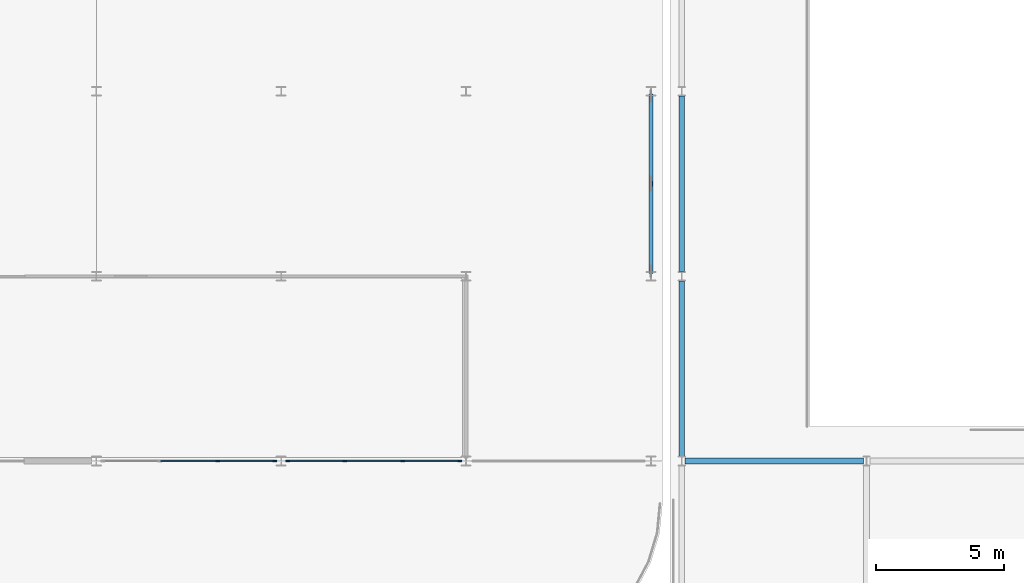
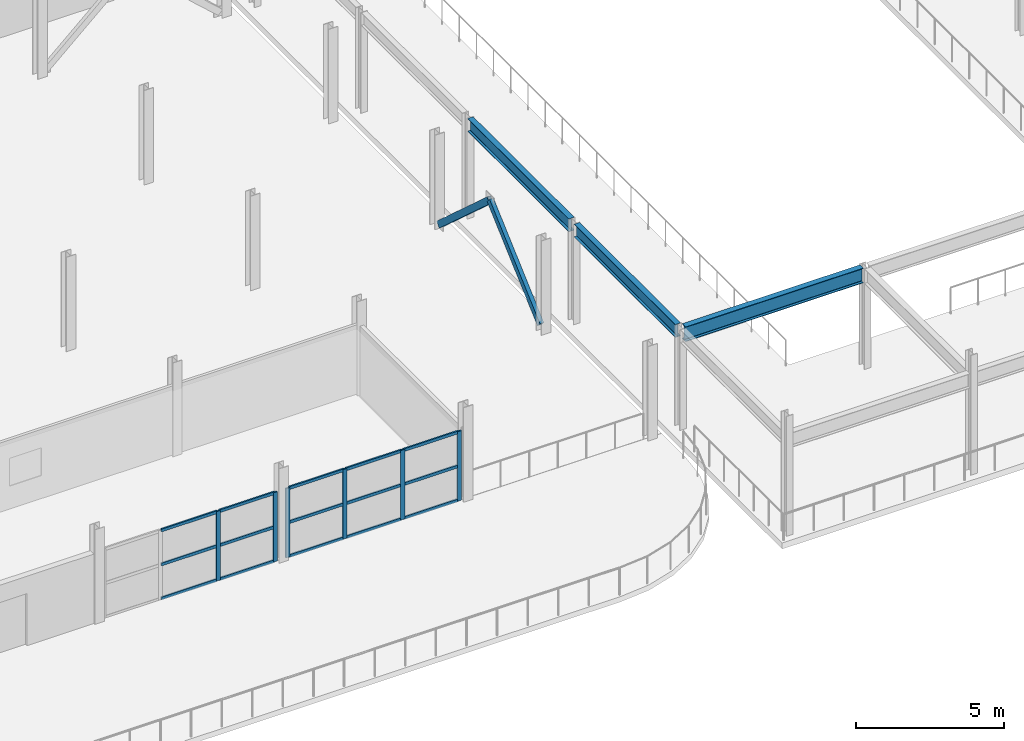
# One storey, part 16 of 40: 23 members, 3 beams, 2 elements without a shape of their own.
"""IFC4 building model written with IfcOpenShell, lengths in metres."""

from ifc_helpers import new_model, si_unit, direction, frame, origin, origin_2d, place, context, subcontext, project, spatial, rectangle, hollow_rectangle, i_section, extrude, material, material_profile, profile_set, type_object, element, aggregate, save


model = new_model("IFC4")

# Units and contexts
model_context = context("Model", 3, precision=1e-05, world=origin(), true_north=direction((0.0, 1.0)))
body_context = subcontext(model_context, "Body", "Model", "MODEL_VIEW")
ifc_project = project(units=[si_unit("LENGTHUNIT", "METRE"), si_unit("AREAUNIT", "SQUARE_METRE"), si_unit("VOLUMEUNIT", "CUBIC_METRE"), si_unit("PLANEANGLEUNIT", "RADIAN"), si_unit("MASSUNIT", "GRAM", prefix="KILO")], contexts=[model_context])

# Site, building, storey
site_placement = place(None, origin())
site = spatial("IfcSite", under=ifc_project, at=site_placement, CompositionType="ELEMENT")
building_placement = place(site_placement, origin())
building = spatial("IfcBuilding", under=site, at=building_placement, Name="Vaelcorin Mobility Hub", CompositionType="ELEMENT")
storey_placement = place(building_placement, frame((0.0, 0.0, 17.10009765625)))
storey = spatial("IfcBuildingStorey", under=building, at=storey_placement, Name="L04", CompositionType="ELEMENT", Elevation=17.10009765625)

# Beams
ifc_material_1 = material(Name="Steel ASTM A992 Grade 50", Category="steel")
ifc_material_profile_1 = material_profile(ifc_material_1, i_section(OverallWidth=0.2099609375, OverallDepth=0.535888671875, WebThickness=0.010986328125, FlangeThickness=0.017333984375, FilletRadius=0.013916015625, at=origin_2d()), Name="W21X68")
ifc_profile_set_1 = profile_set([ifc_material_profile_1], Name="Steel ASTM A992 Grade 50")
beam_type_1 = type_object("IfcBeamType", Name="BM-W21X68", PredefinedType="SPANDREL", material=ifc_profile_set_1)
for number, where, z_axis, x_axis, name in (
    (1, (123.60009765625, 84.179931640625, 3.8818359375), (0.0, 1.0, 0.0), (-1.0, 0.0, 0.0), "L04 Beam V2E-L04-GY-01-02"),
    (2, (123.60009765625, 91.3798828125, 3.8818359375), (0.0, 1.0, 0.0), (-1.0, 0.0, 0.0), "L04 Beam V2E-L04-GY-01-03"),
):
    element("IfcBeam", number, at=place(storey_placement, frame(where, z_axis=z_axis, x_axis=x_axis)), inside=storey, type_object=beam_type_1, Name=name, PredefinedType="SPANDREL", context=body_context, shape_type="SweptSolid", body=[
        extrude(i_section(OverallWidth=0.2099609375, OverallDepth=0.535888671875, WebThickness=0.010986328125, FlangeThickness=0.017333984375, FilletRadius=0.013916015625, at=origin_2d()), origin(), (0.0, 0.0, 1.0), 6.840087890625),
    ])
ifc_material_profile_2 = material_profile(ifc_material_1, i_section(OverallWidth=0.22900390625, OverallDepth=0.612060546875, WebThickness=0.011962890625, FlangeThickness=0.01953125, FilletRadius=0.014892578125, at=origin_2d()), Name="W24X84")
ifc_profile_set_2 = profile_set([ifc_material_profile_2], Name="Steel ASTM A992 Grade 50")
beam_type_2 = type_object("IfcBeamType", Name="BM-W24X84", PredefinedType="BEAM", material=ifc_profile_set_2)
beam_placement = place(storey_placement, frame((123.72607421875, 84.0, 3.843994140625), z_axis=(1.0, 0.0, 0.0), x_axis=(0.0, 1.0, 0.0)))
element("IfcBeam", 3, at=beam_placement, inside=storey, type_object=beam_type_2, Name="L04 Beam V2E-L04-GX-02-01", PredefinedType="BEAM", context=body_context, shape_type="SweptSolid", body=[
    extrude(i_section(OverallWidth=0.22900390625, OverallDepth=0.612060546875, WebThickness=0.011962890625, FlangeThickness=0.01953125, FilletRadius=0.014892578125, at=origin_2d()), origin(), (0.0, 0.0, 1.0), 6.947998046875),
])

# Members
ifc_material_2 = material(Name="Steel ASTM A500 Grade C", Category="steel")
ifc_material_profile_3 = material_profile(ifc_material_2, hollow_rectangle(XDim=0.15234375, YDim=0.25390625, WallThickness=0.01171875, at=origin_2d()), Name="HSS10X6X0.500")
ifc_profile_set_3 = profile_set([ifc_material_profile_3], Name="Steel ASTM A500 Grade C")
member_type_1 = type_object("IfcMemberType", Name="BR-SCBF-10X6", PredefinedType="BRACE", material=ifc_profile_set_3)
member_1_placement = place(storey_placement, frame((122.39990234375, 91.389892578125, 0.179931640625), z_axis=(0.0, 0.74319360332, 0.669076429106), x_axis=(-1.0, 0.0, 0.0)))
element("IfcMember", 4, at=member_1_placement, inside=storey, type_object=member_type_1, Name="SCBF Chevron Brace V4-BY2-L04-A", PredefinedType="BRACE", context=body_context, shape_type="SweptSolid", body=[
    extrude(hollow_rectangle(XDim=0.15234375, YDim=0.25390625, WallThickness=0.01171875, at=origin_2d()), origin(), (0.0, 0.0, 1.0), 4.588623046875),
])
member_2_placement = place(storey_placement, frame((122.39990234375, 98.2099609375, 0.179931640625), z_axis=(0.0, -0.743169783144, 0.669102887022), x_axis=(1.0, 0.0, 0.0)))
element("IfcMember", 5, at=member_2_placement, inside=storey, type_object=member_type_1, Name="SCBF Chevron Brace V4-BY2-L04-B", PredefinedType="BRACE", context=body_context, shape_type="SweptSolid", body=[
    extrude(hollow_rectangle(XDim=0.15234375, YDim=0.25390625, WallThickness=0.01171875, at=origin_2d()), origin(), (0.0, 0.0, 1.0), 4.58837890625),
])

# Curtain wall, members
ifc_material_3 = material(Name="Anodised aluminium 6063-T6", Category="aluminium")
curtain_wall_type = type_object("IfcCurtainWallType", Name="CW-MOB-A", PredefinedType="NOTDEFINED", material=ifc_material_3)
curtain_wall_1_placement = place(storey_placement, origin())
curtain_wall_1 = element("IfcCurtainWall", 6, at=curtain_wall_1_placement, inside=storey, type_object=curtain_wall_type, Name="L04 Curtain Wall CW-V4-L04-S-10", PredefinedType="NOTDEFINED")
ifc_material_profile_4 = material_profile(ifc_material_3, rectangle(XDim=0.06005859375, YDim=0.159912109375, at=origin_2d()), Name="ALU-M60X160")
ifc_profile_set_4 = profile_set([ifc_material_profile_4], Name="Anodised aluminium 6063-T6")
member_type_2 = type_object("IfcMemberType", Name="CW-MULL-160", PredefinedType="MULLION", material=ifc_profile_set_4)
member_3_placement = place(storey_placement, frame((107.75, 84.0, 0.0), z_axis=(0.0, 0.0, 1.0), x_axis=(0.0, -1.0, 0.0)))
member_3 = element("IfcMember", 7, at=member_3_placement, type_object=member_type_2, Name="CW7 mullion 1", PredefinedType="MULLION", context=body_context, shape_type="SweptSolid", body=[
    extrude(rectangle(XDim=0.06005859375, YDim=0.159912109375, at=origin_2d()), origin(), (0.0, 0.0, 1.0), 2.867919921875),
])
member_4_placement = place(storey_placement, frame((105.526611328125, 84.0, 0.0), z_axis=(0.0, 0.0, 1.0), x_axis=(0.0, -1.0, 0.0)))
member_4 = element("IfcMember", 8, at=member_4_placement, type_object=member_type_2, Name="CW7 mullion 2", PredefinedType="MULLION", context=body_context, shape_type="SweptSolid", body=[
    extrude(rectangle(XDim=0.06005859375, YDim=0.159912109375, at=origin_2d()), origin(), (0.0, 0.0, 1.0), 2.867919921875),
])

curtain_wall_2_placement = place(storey_placement, origin())
curtain_wall_2 = element("IfcCurtainWall", 9, at=curtain_wall_2_placement, inside=storey, type_object=curtain_wall_type, Name="L04 Curtain Wall CW-V4-L04-S-11", PredefinedType="NOTDEFINED")
member_5_placement = place(storey_placement, frame((114.949951171875, 84.0, 0.0), z_axis=(0.0, 0.0, 1.0), x_axis=(0.0, -1.0, 0.0)))
member_5 = element("IfcMember", 10, at=member_5_placement, type_object=member_type_2, Name="CW7 mullion 1", PredefinedType="MULLION", context=body_context, shape_type="SweptSolid", body=[
    extrude(rectangle(XDim=0.06005859375, YDim=0.159912109375, at=origin_2d()), origin(), (0.0, 0.0, 1.0), 2.867919921875),
])
member_6_placement = place(storey_placement, frame((112.7265625, 84.0, 0.0), z_axis=(0.0, 0.0, 1.0), x_axis=(0.0, -1.0, 0.0)))
member_6 = element("IfcMember", 11, at=member_6_placement, type_object=member_type_2, Name="CW7 mullion 2", PredefinedType="MULLION", context=body_context, shape_type="SweptSolid", body=[
    extrude(rectangle(XDim=0.06005859375, YDim=0.159912109375, at=origin_2d()), origin(), (0.0, 0.0, 1.0), 2.867919921875),
])
member_7_placement = place(storey_placement, frame((110.473388671875, 84.0, 0.0), z_axis=(0.0, 0.0, 1.0), x_axis=(0.0, -1.0, 0.0)))
member_7 = element("IfcMember", 12, at=member_7_placement, type_object=member_type_2, Name="CW7 mullion 3", PredefinedType="MULLION", context=body_context, shape_type="SweptSolid", body=[
    extrude(rectangle(XDim=0.06005859375, YDim=0.159912109375, at=origin_2d()), origin(), (0.0, 0.0, 1.0), 2.867919921875),
])
member_8_placement = place(storey_placement, frame((108.25, 84.0, 0.0), z_axis=(0.0, 0.0, 1.0), x_axis=(0.0, -1.0, 0.0)))
member_8 = element("IfcMember", 13, at=member_8_placement, type_object=member_type_2, Name="CW7 mullion 4", PredefinedType="MULLION", context=body_context, shape_type="SweptSolid", body=[
    extrude(rectangle(XDim=0.06005859375, YDim=0.159912109375, at=origin_2d()), origin(), (0.0, 0.0, 1.0), 2.867919921875),
])

# Member
ifc_material_profile_5 = material_profile(ifc_material_3, rectangle(XDim=0.06005859375, YDim=0.1201171875, at=origin_2d()), Name="ALU-T60X120")
ifc_profile_set_5 = profile_set([ifc_material_profile_5], Name="Anodised aluminium 6063-T6")
member_type_3 = type_object("IfcMemberType", Name="CW-TRAN-140", PredefinedType="USERDEFINED", material=ifc_profile_set_5)
member_9_placement = place(storey_placement, frame((107.719970703125, 84.0, 0.02978515625), z_axis=(-1.0, 0.0, 0.0), x_axis=(0.0, -1.0, 0.0)))
member_9 = element("IfcMember", 14, at=member_9_placement, type_object=member_type_3, Name="CW7 transom 1.1", ObjectType="TRANSOM", PredefinedType="USERDEFINED", context=body_context, shape_type="SweptSolid", body=[
    extrude(rectangle(XDim=0.06005859375, YDim=0.1201171875, at=origin_2d()), origin(), (0.0, 0.0, 1.0), 2.163330078125),
])

member_10_placement = place(storey_placement, frame((107.719970703125, 84.0, 1.433837890625), z_axis=(-1.0, 0.0, 0.0), x_axis=(0.0, -1.0, 0.0)))
member_10 = element("IfcMember", 15, at=member_10_placement, type_object=member_type_3, Name="CW7 transom 1.2", ObjectType="TRANSOM", PredefinedType="USERDEFINED", context=body_context, shape_type="SweptSolid", body=[
    extrude(rectangle(XDim=0.06005859375, YDim=0.1201171875, at=origin_2d()), origin(), (0.0, 0.0, 1.0), 2.163330078125),
])

member_11_placement = place(storey_placement, frame((107.719970703125, 84.0, 2.837890625), z_axis=(-1.0, 0.0, 0.0), x_axis=(0.0, -1.0, 0.0)))
member_11 = element("IfcMember", 16, at=member_11_placement, type_object=member_type_3, Name="CW7 transom 1.3", ObjectType="TRANSOM", PredefinedType="USERDEFINED", context=body_context, shape_type="SweptSolid", body=[
    extrude(rectangle(XDim=0.06005859375, YDim=0.1201171875, at=origin_2d()), origin(), (0.0, 0.0, 1.0), 2.163330078125),
])

member_12_placement = place(storey_placement, frame((105.49658203125, 84.0, 0.02978515625), z_axis=(-1.0, 0.0, 0.0), x_axis=(0.0, -1.0, 0.0)))
member_12 = element("IfcMember", 17, at=member_12_placement, type_object=member_type_3, Name="CW7 transom 2.1", ObjectType="TRANSOM", PredefinedType="USERDEFINED", context=body_context, shape_type="SweptSolid", body=[
    extrude(rectangle(XDim=0.06005859375, YDim=0.1201171875, at=origin_2d()), origin(), (0.0, 0.0, 1.0), 2.193359375),
])

member_13_placement = place(storey_placement, frame((105.49658203125, 84.0, 1.433837890625), z_axis=(-1.0, 0.0, 0.0), x_axis=(0.0, -1.0, 0.0)))
member_13 = element("IfcMember", 18, at=member_13_placement, type_object=member_type_3, Name="CW7 transom 2.2", ObjectType="TRANSOM", PredefinedType="USERDEFINED", context=body_context, shape_type="SweptSolid", body=[
    extrude(rectangle(XDim=0.06005859375, YDim=0.1201171875, at=origin_2d()), origin(), (0.0, 0.0, 1.0), 2.193359375),
])

member_14_placement = place(storey_placement, frame((105.49658203125, 84.0, 2.837890625), z_axis=(-1.0, 0.0, 0.0), x_axis=(0.0, -1.0, 0.0)))
member_14 = element("IfcMember", 19, at=member_14_placement, type_object=member_type_3, Name="CW7 transom 2.3", ObjectType="TRANSOM", PredefinedType="USERDEFINED", context=body_context, shape_type="SweptSolid", body=[
    extrude(rectangle(XDim=0.06005859375, YDim=0.1201171875, at=origin_2d()), origin(), (0.0, 0.0, 1.0), 2.193359375),
])

aggregate(curtain_wall_1, [member_3, member_4, member_9, member_10, member_11, member_12, member_13, member_14])

member_15_placement = place(storey_placement, frame((114.919921875, 84.0, 0.02978515625), z_axis=(-1.0, 0.0, 0.0), x_axis=(0.0, -1.0, 0.0)))
member_15 = element("IfcMember", 20, at=member_15_placement, type_object=member_type_3, Name="CW7 transom 1.1", ObjectType="TRANSOM", PredefinedType="USERDEFINED", context=body_context, shape_type="SweptSolid", body=[
    extrude(rectangle(XDim=0.06005859375, YDim=0.1201171875, at=origin_2d()), origin(), (0.0, 0.0, 1.0), 2.163330078125),
])

member_16_placement = place(storey_placement, frame((114.919921875, 84.0, 1.433837890625), z_axis=(-1.0, 0.0, 0.0), x_axis=(0.0, -1.0, 0.0)))
member_16 = element("IfcMember", 21, at=member_16_placement, type_object=member_type_3, Name="CW7 transom 1.2", ObjectType="TRANSOM", PredefinedType="USERDEFINED", context=body_context, shape_type="SweptSolid", body=[
    extrude(rectangle(XDim=0.06005859375, YDim=0.1201171875, at=origin_2d()), origin(), (0.0, 0.0, 1.0), 2.163330078125),
])

member_17_placement = place(storey_placement, frame((114.919921875, 84.0, 2.837890625), z_axis=(-1.0, 0.0, 0.0), x_axis=(0.0, -1.0, 0.0)))
member_17 = element("IfcMember", 22, at=member_17_placement, type_object=member_type_3, Name="CW7 transom 1.3", ObjectType="TRANSOM", PredefinedType="USERDEFINED", context=body_context, shape_type="SweptSolid", body=[
    extrude(rectangle(XDim=0.06005859375, YDim=0.1201171875, at=origin_2d()), origin(), (0.0, 0.0, 1.0), 2.163330078125),
])

member_18_placement = place(storey_placement, frame((112.69677734375, 84.0, 0.02978515625), z_axis=(-1.0, 0.0, 0.0), x_axis=(0.0, -1.0, 0.0)))
member_18 = element("IfcMember", 23, at=member_18_placement, type_object=member_type_3, Name="CW7 transom 2.1", ObjectType="TRANSOM", PredefinedType="USERDEFINED", context=body_context, shape_type="SweptSolid", body=[
    extrude(rectangle(XDim=0.06005859375, YDim=0.1201171875, at=origin_2d()), origin(), (0.0, 0.0, 1.0), 2.193359375),
])

member_19_placement = place(storey_placement, frame((112.69677734375, 84.0, 1.433837890625), z_axis=(-1.0, 0.0, 0.0), x_axis=(0.0, -1.0, 0.0)))
member_19 = element("IfcMember", 24, at=member_19_placement, type_object=member_type_3, Name="CW7 transom 2.2", ObjectType="TRANSOM", PredefinedType="USERDEFINED", context=body_context, shape_type="SweptSolid", body=[
    extrude(rectangle(XDim=0.06005859375, YDim=0.1201171875, at=origin_2d()), origin(), (0.0, 0.0, 1.0), 2.193359375),
])

member_20_placement = place(storey_placement, frame((112.69677734375, 84.0, 2.837890625), z_axis=(-1.0, 0.0, 0.0), x_axis=(0.0, -1.0, 0.0)))
member_20 = element("IfcMember", 25, at=member_20_placement, type_object=member_type_3, Name="CW7 transom 2.3", ObjectType="TRANSOM", PredefinedType="USERDEFINED", context=body_context, shape_type="SweptSolid", body=[
    extrude(rectangle(XDim=0.06005859375, YDim=0.1201171875, at=origin_2d()), origin(), (0.0, 0.0, 1.0), 2.193359375),
])

member_21_placement = place(storey_placement, frame((110.443359375, 84.0, 0.02978515625), z_axis=(-1.0, 0.0, 0.0), x_axis=(0.0, -1.0, 0.0)))
member_21 = element("IfcMember", 26, at=member_21_placement, type_object=member_type_3, Name="CW7 transom 3.1", ObjectType="TRANSOM", PredefinedType="USERDEFINED", context=body_context, shape_type="SweptSolid", body=[
    extrude(rectangle(XDim=0.06005859375, YDim=0.1201171875, at=origin_2d()), origin(), (0.0, 0.0, 1.0), 2.163330078125),
])

member_22_placement = place(storey_placement, frame((110.443359375, 84.0, 1.433837890625), z_axis=(-1.0, 0.0, 0.0), x_axis=(0.0, -1.0, 0.0)))
member_22 = element("IfcMember", 27, at=member_22_placement, type_object=member_type_3, Name="CW7 transom 3.2", ObjectType="TRANSOM", PredefinedType="USERDEFINED", context=body_context, shape_type="SweptSolid", body=[
    extrude(rectangle(XDim=0.06005859375, YDim=0.1201171875, at=origin_2d()), origin(), (0.0, 0.0, 1.0), 2.163330078125),
])

member_23_placement = place(storey_placement, frame((110.443359375, 84.0, 2.837890625), z_axis=(-1.0, 0.0, 0.0), x_axis=(0.0, -1.0, 0.0)))
member_23 = element("IfcMember", 28, at=member_23_placement, type_object=member_type_3, Name="CW7 transom 3.3", ObjectType="TRANSOM", PredefinedType="USERDEFINED", context=body_context, shape_type="SweptSolid", body=[
    extrude(rectangle(XDim=0.06005859375, YDim=0.1201171875, at=origin_2d()), origin(), (0.0, 0.0, 1.0), 2.163330078125),
])

aggregate(curtain_wall_2, [member_5, member_6, member_7, member_8, member_15, member_16, member_17, member_18, member_19, member_20, member_21, member_22, member_23])

save(model, "model.ifc")
